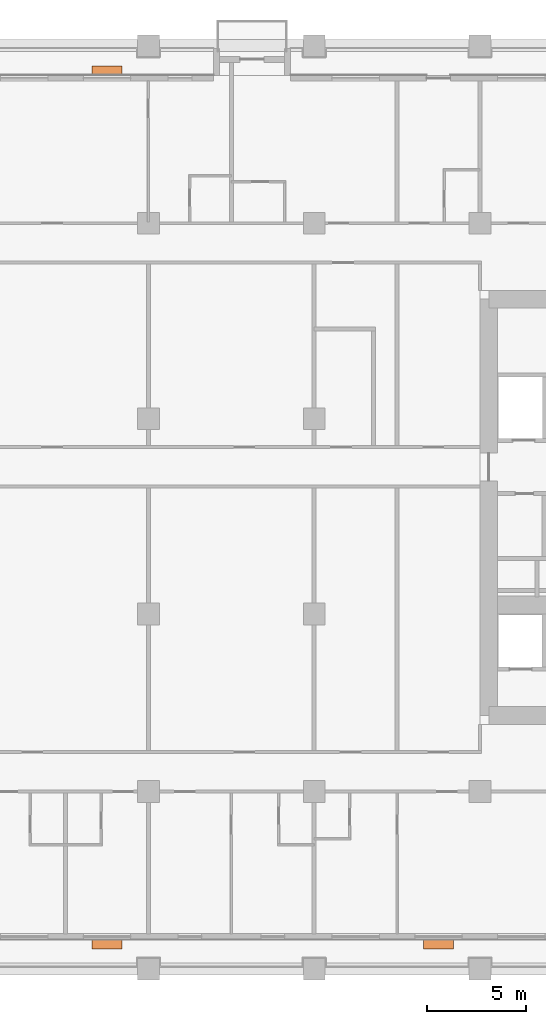
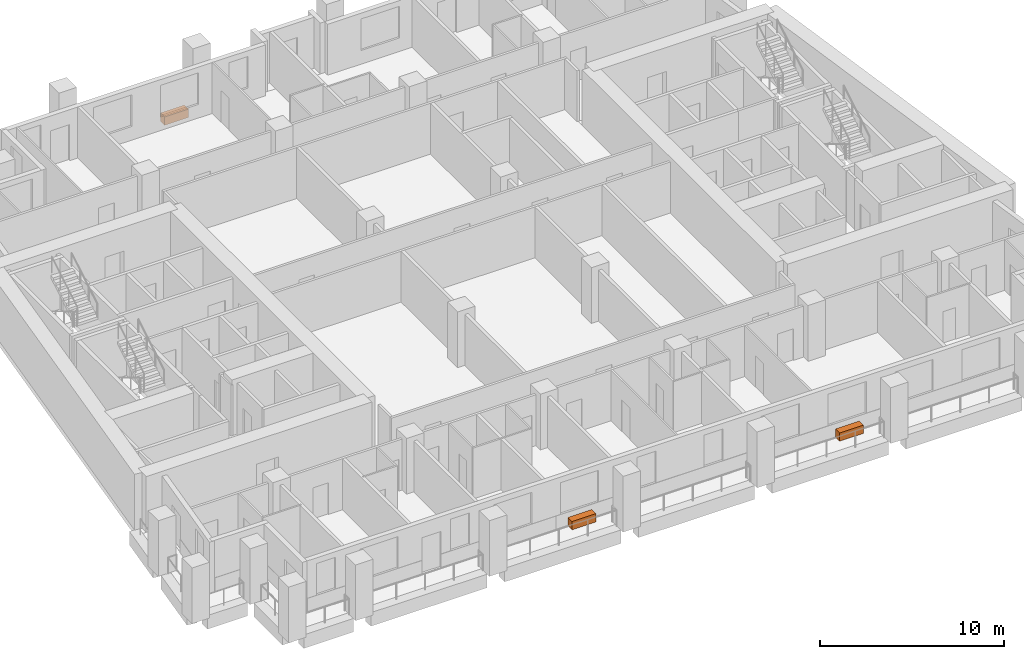
# One storey, part 13 of 13: 3 proxies.
"""IFC4 building model written with IfcOpenShell, lengths in metres."""

from ifc_helpers import new_model, si_unit, direction, frame, origin, origin_2d, place, context, subcontext, project, spatial, rectangle, extrude, element, save


model = new_model("IFC4")

# Units and contexts
model_context = context("Model", 3, precision=1e-05, world=origin(), true_north=direction((0.0, 1.0)))
body_context = subcontext(model_context, "Body", "Model", "MODEL_VIEW")
ifc_project = project(units=[si_unit("LENGTHUNIT", "METRE"), si_unit("AREAUNIT", "SQUARE_METRE"), si_unit("VOLUMEUNIT", "CUBIC_METRE"), si_unit("PLANEANGLEUNIT", "RADIAN"), si_unit("MASSUNIT", "GRAM", prefix="KILO")], contexts=[model_context])

# Site, building, storey
site_placement = place(None, origin())
site = spatial("IfcSite", under=ifc_project, at=site_placement, CompositionType="ELEMENT")
building_placement = place(site_placement, origin())
building = spatial("IfcBuilding", under=site, at=building_placement, Name="Candeia Pilgrim Tower and Theatre", CompositionType="ELEMENT")
storey_placement = place(building_placement, frame((0.0, 0.0, 151.5)))
storey = spatial("IfcBuildingStorey", under=building, at=storey_placement, Name="L35", CompositionType="ELEMENT", Elevation=151.5)

# Proxies
for number, where, z_axis, x_axis, name in (
    (1, (107.10009765625, 99.2548828125, 0.0), (0.0, 0.0, 1.0), (1.0, 0.0, 0.0), "Planter"),
    (2, (123.89990234375, 99.2548828125, 0.0), (0.0, 0.0, 1.0), (1.0, 0.0, 0.0), "Planter"),
    (3, (107.10009765625, 143.544921875, 0.0), (0.0, 0.0, 1.0), (-1.0, 0.0, 0.0), "Planter"),
):
    element("IfcBuildingElementProxy", number, at=place(storey_placement, frame(where, z_axis=z_axis, x_axis=x_axis)), inside=storey, Name=name, ObjectType="PLANTER", PredefinedType="USERDEFINED", context=body_context, shape_type="SweptSolid", body=[
        extrude(rectangle(XDim=1.5, YDim=0.449951171875, at=origin_2d()), origin(), (0.0, 0.0, 1.0), 0.550048828125),
    ])

save(model, "model.ifc")
